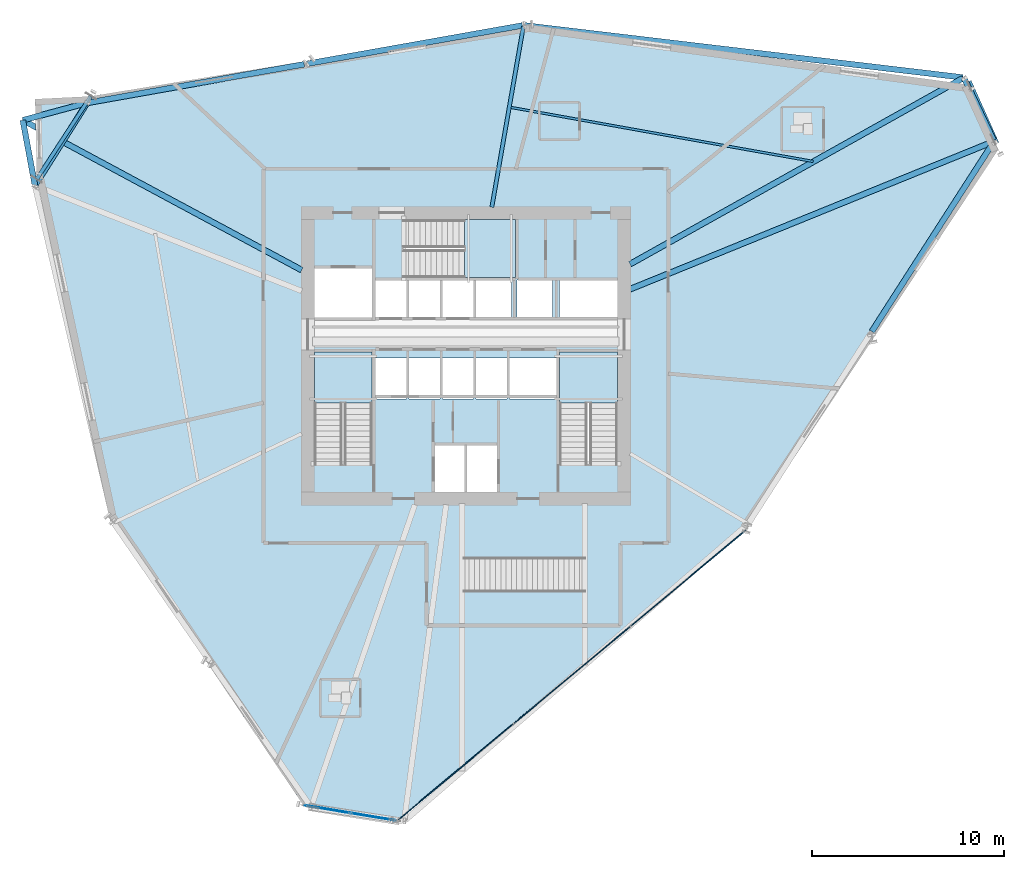
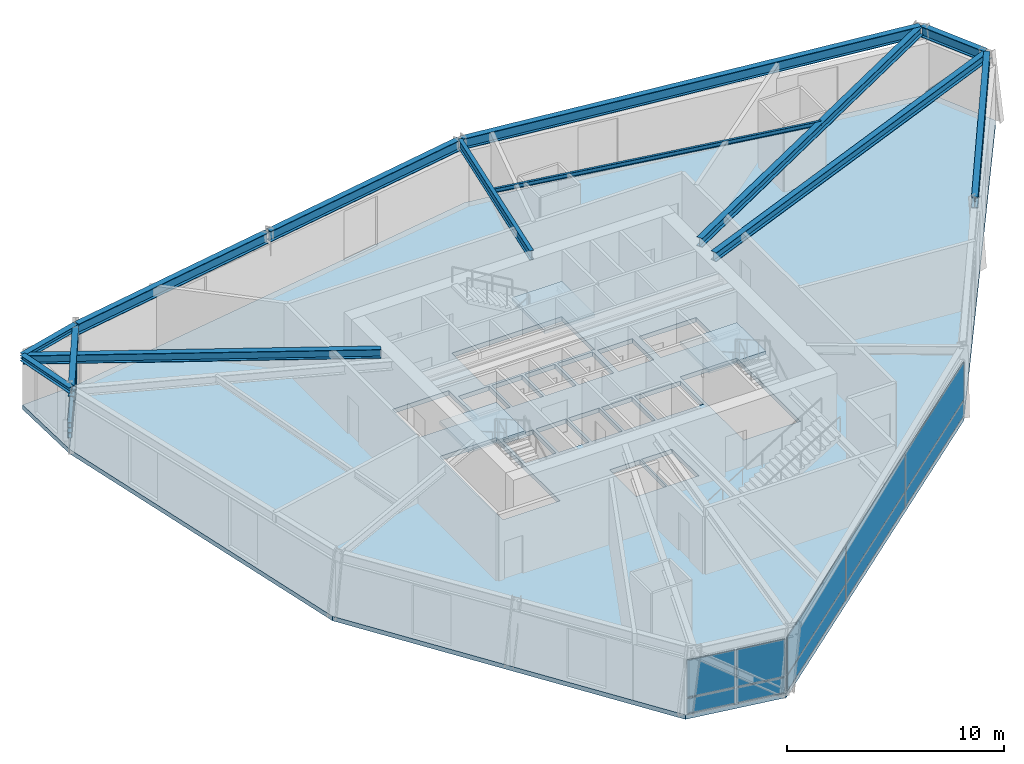
# One storey, part 8 of 16: 13 beams, 10 plates, 5 slabs, 3 members, 5 elements without a shape of their own.
"""IFC4 building model written with IfcOpenShell, lengths in metres."""

from ifc_helpers import new_model, si_unit, direction, frame, origin, origin_2d, place, context, subcontext, project, spatial, polyline, rectangle, hollow_rectangle, i_section, outline, extrude, source, transform, mapped, material, layer, layer_set, material_profile, profile_set, type_object, element, aggregate, save


model = new_model("IFC4")

# Units and contexts
model_context = context("Model", 3, precision=1e-05, world=origin(), true_north=direction((0.0, 1.0)))
body_context = subcontext(model_context, "Body", "Model", "MODEL_VIEW")
ifc_project = project(units=[si_unit("LENGTHUNIT", "METRE"), si_unit("AREAUNIT", "SQUARE_METRE"), si_unit("VOLUMEUNIT", "CUBIC_METRE"), si_unit("PLANEANGLEUNIT", "RADIAN"), si_unit("MASSUNIT", "GRAM", prefix="KILO")], contexts=[model_context])

# Site, building, storey
site_placement = place(None, origin())
site = spatial("IfcSite", under=ifc_project, at=site_placement, CompositionType="ELEMENT")
building_placement = place(site_placement, origin())
building = spatial("IfcBuilding", under=site, at=building_placement, Name="Olszyna Solenne Hotel", CompositionType="ELEMENT")
storey_placement = place(building_placement, frame((0.0, 0.0, 134.10009765625)))
storey = spatial("IfcBuildingStorey", under=building, at=storey_placement, Name="L35", CompositionType="ELEMENT", Elevation=134.10009765625)

# Beams
ifc_material_1 = material(Name="Steel S355J2", Category="steel")
ifc_material_profile_1 = material_profile(ifc_material_1, i_section(OverallWidth=0.300048828125, OverallDepth=0.60009765625, WebThickness=0.015380859375, FlangeThickness=0.030029296875, at=origin_2d()), Name="HEB 600", Category="load-bearing")
ifc_profile_set_1 = profile_set([ifc_material_profile_1], Name="Steel S355J2")
beam_type_1 = type_object("IfcBeamType", Name="BM-S2", PredefinedType="BEAM", material=ifc_profile_set_1)
shared_shape_1 = source(origin(), body_context, "Body", "SweptSolid", [
    extrude(i_section(OverallWidth=0.300048828125, OverallDepth=0.60009765625, WebThickness=0.015380859375, FlangeThickness=0.030029296875, at=origin_2d()), origin(), (0.0, 0.0, 1.0), 3.5537109375),
])
beam_1_placement = place(storey_placement, frame((65.498291015625, 37.8388671875, 3.449951171875), z_axis=(-0.428151315276, 0.903707060517, 0.0), x_axis=(-0.903707060517, -0.428151315276, 0.0)))
element("IfcBeam", 1, at=beam_1_placement, inside=storey, type_object=beam_type_1, Name="Perimeter spandrel beam BM-S2 B-L35-1042", PredefinedType="BEAM", context=body_context, shape_type="MappedRepresentation", body=[
    mapped(shared_shape_1, transform((0.0, 0.0, 0.0), x_axis=(1.0, 0.0, 0.0), y_axis=(0.0, 1.0, 0.0), z_axis=(0.0, 0.0, 1.0), scale=1.0)),
])
shared_shape_2 = source(origin(), body_context, "Body", "SweptSolid", [
    extrude(i_section(OverallWidth=0.300048828125, OverallDepth=0.60009765625, WebThickness=0.015380859375, FlangeThickness=0.030029296875, at=origin_2d()), origin(), (0.0, 0.0, 1.0), 22.9853515625),
])
beam_2_placement = place(storey_placement, frame((63.8916015625, 41.11181640625, 3.449951171875), z_axis=(-0.993011647168, 0.118016391183, 0.0), x_axis=(-0.118016391183, -0.993011647168, 0.0)))
element("IfcBeam", 2, at=beam_2_placement, inside=storey, type_object=beam_type_1, Name="Perimeter spandrel beam BM-S2 B-L35-1043", PredefinedType="BEAM", context=body_context, shape_type="MappedRepresentation", body=[
    mapped(shared_shape_2, transform((0.0, 0.0, 0.0), x_axis=(1.0, 0.0, 0.0), y_axis=(0.0, 1.0, 0.0), z_axis=(0.0, 0.0, 1.0), scale=1.0)),
])
shared_shape_3 = source(origin(), body_context, "Body", "SweptSolid", [
    extrude(i_section(OverallWidth=0.300048828125, OverallDepth=0.60009765625, WebThickness=0.015380859375, FlangeThickness=0.030029296875, at=origin_2d()), origin(), (0.0, 0.0, 1.0), 11.4326171875),
])
for number, where, z_axis, x_axis, name in (
    (3, (40.9482421875, 43.821044921875, 3.449951171875), (-0.984548765616, -0.175110616824, 0.0), (0.175110616824, -0.984548765616, 0.0), "Perimeter spandrel beam BM-S2 B-L35-1044"),
    (4, (29.57421875, 41.798095703125, 3.449951171875), (-0.984548765616, -0.175110616824, 0.0), (0.175110616824, -0.984548765616, 0.0), "Perimeter spandrel beam BM-S2 B-L35-1045"),
):
    element("IfcBeam", number, at=place(storey_placement, frame(where, z_axis=z_axis, x_axis=x_axis)), inside=storey, type_object=beam_type_1, Name=name, PredefinedType="BEAM", context=body_context, shape_type="MappedRepresentation", body=[
        mapped(shared_shape_3, transform((0.0, 0.0, 0.0), x_axis=(1.0, 0.0, 0.0), y_axis=(0.0, 1.0, 0.0), z_axis=(0.0, 0.0, 1.0), scale=1.0)),
    ])
shared_shape_4 = source(origin(), body_context, "Body", "SweptSolid", [
    extrude(i_section(OverallWidth=0.300048828125, OverallDepth=0.60009765625, WebThickness=0.015380859375, FlangeThickness=0.030029296875, at=origin_2d()), origin(), (0.0, 0.0, 1.0), 4.971923828125),
])
beam_3_placement = place(storey_placement, frame((18.227294921875, 39.73486328125, 3.449951171875), z_axis=(-0.53283410763, -0.846219719545, 0.0), x_axis=(0.846219719545, -0.53283410763, 0.0)))
element("IfcBeam", 5, at=beam_3_placement, inside=storey, type_object=beam_type_1, Name="Perimeter spandrel beam BM-S2 B-L35-1046", PredefinedType="BEAM", context=body_context, shape_type="MappedRepresentation", body=[
    mapped(shared_shape_4, transform((0.0, 0.0, 0.0), x_axis=(1.0, 0.0, 0.0), y_axis=(0.0, 1.0, 0.0), z_axis=(0.0, 0.0, 1.0), scale=1.0)),
])
shared_shape_5 = source(origin(), body_context, "Body", "SweptSolid", [
    extrude(i_section(OverallWidth=0.300048828125, OverallDepth=0.60009765625, WebThickness=0.015380859375, FlangeThickness=0.030029296875, at=origin_2d()), origin(), (0.0, 0.0, 1.0), 11.72705078125),
])
beam_4_placement = place(storey_placement, frame((59.151123046875, 27.869140625, 3.449951171875), z_axis=(0.540684986562, 0.841225145432, 0.0), x_axis=(-0.841225145432, 0.540684986562, 0.0)))
element("IfcBeam", 6, at=beam_4_placement, inside=storey, type_object=beam_type_1, Name="Perimeter spandrel beam BM-S2 B-L35-1053", PredefinedType="BEAM", context=body_context, shape_type="MappedRepresentation", body=[
    mapped(shared_shape_5, transform((0.0, 0.0, 0.0), x_axis=(1.0, 0.0, 0.0), y_axis=(0.0, 1.0, 0.0), z_axis=(0.0, 0.0, 1.0), scale=1.0)),
])
ifc_material_profile_2 = material_profile(ifc_material_1, i_section(OverallWidth=0.300048828125, OverallDepth=0.489990234375, WebThickness=0.011962890625, FlangeThickness=0.02294921875, at=origin_2d()), Name="HEA 500", Category="load-bearing")
ifc_profile_set_2 = profile_set([ifc_material_profile_2], Name="Steel S355J2")
beam_type_2 = type_object("IfcBeamType", Name="BM-G1", PredefinedType="BEAM", material=ifc_profile_set_2)
shared_shape_6 = source(origin(), body_context, "Body", "SweptSolid", [
    extrude(i_section(OverallWidth=0.300048828125, OverallDepth=0.489990234375, WebThickness=0.011962890625, FlangeThickness=0.02294921875, at=origin_2d()), origin(), (0.0, 0.0, 1.0), 20.416748046875),
])
beam_5_placement = place(storey_placement, frame((65.468505859375, 37.761962890625, 3.5048828125), z_axis=(-0.926429957637, -0.376467174654, 0.0), x_axis=(0.376467174654, -0.926429957637, 0.0)))
element("IfcBeam", 7, at=beam_5_placement, inside=storey, type_object=beam_type_2, Name="Radial floor girder BM-G1 B-L35-1054", PredefinedType="BEAM", context=body_context, shape_type="MappedRepresentation", body=[
    mapped(shared_shape_6, transform((0.0, 0.0, 0.0), x_axis=(1.0, 0.0, 0.0), y_axis=(0.0, 1.0, 0.0), z_axis=(0.0, 0.0, 1.0), scale=1.0)),
])
shared_shape_7 = source(origin(), body_context, "Body", "SweptSolid", [
    extrude(i_section(OverallWidth=0.300048828125, OverallDepth=0.489990234375, WebThickness=0.011962890625, FlangeThickness=0.02294921875, at=origin_2d()), origin(), (0.0, 0.0, 1.0), 19.8671875),
])
beam_6_placement = place(storey_placement, frame((63.898681640625, 41.0751953125, 3.5048828125), z_axis=(-0.872909311658, -0.487882499809, 0.0), x_axis=(0.487882499809, -0.872909311658, 0.0)))
element("IfcBeam", 8, at=beam_6_placement, inside=storey, type_object=beam_type_2, Name="Radial floor girder BM-G1 B-L35-1055", PredefinedType="BEAM", context=body_context, shape_type="MappedRepresentation", body=[
    mapped(shared_shape_7, transform((0.0, 0.0, 0.0), x_axis=(1.0, 0.0, 0.0), y_axis=(0.0, 1.0, 0.0), z_axis=(0.0, 0.0, 1.0), scale=1.0)),
])
ifc_material_profile_3 = material_profile(ifc_material_1, i_section(OverallWidth=0.199951171875, OverallDepth=0.5, WebThickness=0.01025390625, FlangeThickness=0.01611328125, at=origin_2d()), Name="IPE 500", Category="load-bearing")
ifc_profile_set_3 = profile_set([ifc_material_profile_3], Name="Steel S355J2")
beam_type_3 = type_object("IfcBeamType", Name="BM-F3", PredefinedType="BEAM", material=ifc_profile_set_3)
shared_shape_8 = source(origin(), body_context, "Body", "SweptSolid", [
    extrude(i_section(OverallWidth=0.199951171875, OverallDepth=0.5, WebThickness=0.01025390625, FlangeThickness=0.01611328125, at=origin_2d()), origin(), (0.0, 0.0, 1.0), 9.564208984375),
])
beam_7_placement = place(storey_placement, frame((40.9970703125, 43.7724609375, 3.5), z_axis=(-0.171919632066, -0.985110978576, 0.0), x_axis=(0.985110978576, -0.171919632066, 0.0)))
element("IfcBeam", 9, at=beam_7_placement, inside=storey, type_object=beam_type_3, Name="Radial floor girder BM-F3 B-L35-1056", PredefinedType="BEAM", context=body_context, shape_type="MappedRepresentation", body=[
    mapped(shared_shape_8, transform((0.0, 0.0, 0.0), x_axis=(1.0, 0.0, 0.0), y_axis=(0.0, 1.0, 0.0), z_axis=(0.0, 0.0, 1.0), scale=1.0)),
])
shared_shape_9 = source(origin(), body_context, "Body", "SweptSolid", [
    extrude(i_section(OverallWidth=0.300048828125, OverallDepth=0.489990234375, WebThickness=0.011962890625, FlangeThickness=0.02294921875, at=origin_2d()), origin(), (0.0, 0.0, 1.0), 16.47607421875),
])
beam_8_placement = place(storey_placement, frame((14.931640625, 38.873779296875, 3.5048828125), z_axis=(0.880831503155, -0.473429892433, 0.0), x_axis=(0.473429892433, 0.880831503155, 0.0)))
element("IfcBeam", 10, at=beam_8_placement, inside=storey, type_object=beam_type_2, Name="Radial floor girder BM-G1 B-L35-1057", PredefinedType="BEAM", context=body_context, shape_type="MappedRepresentation", body=[
    mapped(shared_shape_9, transform((0.0, 0.0, 0.0), x_axis=(1.0, 0.0, 0.0), y_axis=(0.0, 1.0, 0.0), z_axis=(0.0, 0.0, 1.0), scale=1.0)),
])
ifc_material_profile_4 = material_profile(ifc_material_1, i_section(OverallWidth=0.300048828125, OverallDepth=0.31005859375, WebThickness=0.009033203125, FlangeThickness=0.015380859375, at=origin_2d()), Name="HEA 320", Category="load-bearing")
ifc_profile_set_4 = profile_set([ifc_material_profile_4], Name="Steel S355J2")
beam_type_4 = type_object("IfcBeamType", Name="BM-G3", PredefinedType="BEAM", material=ifc_profile_set_4)
shared_shape_10 = source(origin(), body_context, "Body", "SweptSolid", [
    extrude(i_section(OverallWidth=0.300048828125, OverallDepth=0.31005859375, WebThickness=0.009033203125, FlangeThickness=0.015380859375, at=origin_2d()), origin(), (0.0, 0.0, 1.0), 3.46484375),
])
beam_9_placement = place(storey_placement, frame((18.25927734375, 39.78564453125, 3.594970703125), z_axis=(-0.965491827497, -0.260433352389, 0.0), x_axis=(0.260433352389, -0.965491827497, 0.0)))
element("IfcBeam", 11, at=beam_9_placement, inside=storey, type_object=beam_type_4, Name="Prism side edge beam BM-G3 B-L35-1063", PredefinedType="BEAM", context=body_context, shape_type="MappedRepresentation", body=[
    mapped(shared_shape_10, transform((0.0, 0.0, 0.0), x_axis=(1.0, 0.0, 0.0), y_axis=(0.0, 1.0, 0.0), z_axis=(0.0, 0.0, 1.0), scale=1.0)),
])
shared_shape_11 = source(origin(), body_context, "Body", "SweptSolid", [
    extrude(i_section(OverallWidth=0.300048828125, OverallDepth=0.31005859375, WebThickness=0.009033203125, FlangeThickness=0.015380859375, at=origin_2d()), origin(), (0.0, 0.0, 1.0), 3.464599609375),
])
beam_10_placement = place(storey_placement, frame((15.546142578125, 35.476806640625, 3.594970703125), z_axis=(-0.182437468588, 0.983217458173, 0.0), x_axis=(-0.983217458173, -0.182437468588, 0.0)))
element("IfcBeam", 12, at=beam_10_placement, inside=storey, type_object=beam_type_4, Name="Prism side edge beam BM-G3 B-L35-1064", PredefinedType="BEAM", context=body_context, shape_type="MappedRepresentation", body=[
    mapped(shared_shape_11, transform((0.0, 0.0, 0.0), x_axis=(1.0, 0.0, 0.0), y_axis=(0.0, 1.0, 0.0), z_axis=(0.0, 0.0, 1.0), scale=1.0)),
])
ifc_material_profile_5 = material_profile(ifc_material_1, i_section(OverallWidth=0.1201171875, OverallDepth=0.239990234375, WebThickness=0.006103515625, FlangeThickness=0.009765625, at=origin_2d()), Name="IPE 240", Category="load-bearing")
ifc_profile_set_5 = profile_set([ifc_material_profile_5], Name="Steel S355J2")
beam_type_5 = type_object("IfcBeamType", Name="JS-03", PredefinedType="JOIST", material=ifc_profile_set_5)
shared_shape_12 = source(origin(), body_context, "Body", "SweptSolid", [
    extrude(i_section(OverallWidth=0.1201171875, OverallDepth=0.239990234375, WebThickness=0.006103515625, FlangeThickness=0.009765625, at=origin_2d()), origin(), (0.0, 0.0, 1.0), 16.072021484375),
])
beam_11_placement = place(storey_placement, frame((56.103759765625, 36.733154296875, 3.6298828125), z_axis=(-0.984393759312, 0.175979904043, 0.0), x_axis=(-0.175979904043, -0.984393759312, 0.0)))
element("IfcBeam", 13, at=beam_11_placement, inside=storey, type_object=beam_type_5, Name="Secondary composite floor joist JS-03 B-L35-1067", PredefinedType="JOIST", context=body_context, shape_type="MappedRepresentation", body=[
    mapped(shared_shape_12, transform((0.0, 0.0, 0.0), x_axis=(1.0, 0.0, 0.0), y_axis=(0.0, 1.0, 0.0), z_axis=(0.0, 0.0, 1.0), scale=1.0)),
])

# Members
ifc_material_profile_6 = material_profile(ifc_material_1, hollow_rectangle(XDim=0.199951171875, YDim=0.300048828125, WallThickness=0.01611328125, at=origin_2d()), Name="RHS 300x200x16", Category="load-bearing")
ifc_profile_set_6 = profile_set([ifc_material_profile_6], Name="Steel S355J2")
member_type_1 = type_object("IfcMemberType", Name="CH-PR1", PredefinedType="CHORD", material=ifc_profile_set_6)
shared_shape_13 = source(origin(), body_context, "Body", "SweptSolid", [
    extrude(hollow_rectangle(XDim=0.199951171875, YDim=0.300048828125, WallThickness=0.01611328125, at=origin_2d()), origin(), (0.0, 0.0, 1.0), 5.14453125),
])
for number, where, z_axis, x_axis, name in (
    (14, (18.453857421875, 40.12939453125, 1.349853515625), (-0.546073788779, -0.837737081195, 0.0), (0.837737081195, -0.546073788779, 0.0), "Glass-prism tie chord CH-PR1 M-L35-PR1"),
    (15, (18.453857421875, 40.12939453125, 0.77978515625), (-0.546073788779, -0.837737081195, 0.0), (0.837737081195, -0.546073788779, 0.0), "Glass-prism tie chord CH-PR1 M-L35-PR2"),
):
    element("IfcMember", number, at=place(storey_placement, frame(where, z_axis=z_axis, x_axis=x_axis)), inside=storey, type_object=member_type_1, Name=name, PredefinedType="CHORD", context=body_context, shape_type="MappedRepresentation", body=[
        mapped(shared_shape_13, transform((0.0, 0.0, 0.0), x_axis=(1.0, 0.0, 0.0), y_axis=(0.0, 1.0, 0.0), z_axis=(0.0, 0.0, 1.0), scale=1.0)),
    ])
ifc_material_2 = material(Name="Steel S460M", Category="steel")
ifc_material_profile_7 = material_profile(ifc_material_2, i_section(OverallWidth=0.406005859375, OverallDepth=0.416015625, WebThickness=0.026611328125, FlangeThickness=0.04150390625, at=origin_2d()), Name="HD 400x382", Category="load-bearing")
ifc_profile_set_7 = profile_set([ifc_material_profile_7], Name="Steel S460M")
member_type_2 = type_object("IfcMemberType", Name="BR-T2", PredefinedType="BRACE", material=ifc_profile_set_7)
shared_shape_14 = source(origin(), body_context, "Body", "SweptSolid", [
    extrude(i_section(OverallWidth=0.406005859375, OverallDepth=0.416015625, WebThickness=0.026611328125, FlangeThickness=0.04150390625, at=origin_2d()), origin(), (0.0, 0.0, 1.0), 4.69482421875),
])
member_placement = place(storey_placement, frame((64.207763671875, 40.731201171875, 0.010009765625), z_axis=(0.280388159049, -0.627597309265, 0.726294773263), x_axis=(0.913023697327, 0.407906518849, 0.0)))
element("IfcMember", 16, at=member_placement, inside=storey, type_object=member_type_2, Name="Perimeter braced-tube diagonal BR-T2 BR-L35-1", PredefinedType="BRACE", context=body_context, shape_type="MappedRepresentation", body=[
    mapped(shared_shape_14, transform((0.0, 0.0, 0.0), x_axis=(1.0, 0.0, 0.0), y_axis=(0.0, 1.0, 0.0), z_axis=(0.0, 0.0, 1.0), scale=1.0)),
])

# Stair, slab
ifc_material_3 = material(Name="Concrete C40/50", Category="concrete")
stair_type = type_object("IfcStairType", Name="STR-C1", PredefinedType="TWO_QUARTER_WINDING_STAIR", material=ifc_material_3)
stair_1_placement = place(storey_placement, origin())
stair_1 = element("IfcStair", 17, at=stair_1_placement, inside=storey, type_object=stair_type, Name="L35 ST1", PredefinedType="TWO_QUARTER_WINDING_STAIR")
ifc_layer_1 = layer(ifc_material_3, 0.18994140625, Name="Concrete C40/50")
ifc_layer_set_1 = layer_set([ifc_layer_1], Name="Concrete C40/50")
slab_type_1 = type_object("IfcSlabType", Name="SL-LN190", PredefinedType="LANDING", material=ifc_layer_set_1)
slab_1_placement = place(storey_placement, frame((0.0, 0.0, 1.7998046875)))
slab_1 = element("IfcSlab", 18, at=slab_1_placement, type_object=slab_type_1, Name="ST1 landing 1", PredefinedType="LANDING", context=body_context, shape_type="SweptSolid", body=[
    extrude(outline(polyline([(33.1201171875, 24.139892578125), (33.1201171875, 26.800048828125), (30.10009765625, 26.800048828125), (30.10009765625, 24.139892578125), (33.1201171875, 24.139892578125)])), origin(), (0.0, 0.0, 1.0), 0.2001953125),
])
aggregate(stair_1, [slab_1])

stair_2_placement = place(storey_placement, origin())
stair_2 = element("IfcStair", 19, at=stair_2_placement, inside=storey, type_object=stair_type, Name="L35 ST2", PredefinedType="TWO_QUARTER_WINDING_STAIR")
slab_2_placement = place(storey_placement, frame((0.0, 0.0, 1.7998046875)))
slab_2 = element("IfcSlab", 20, at=slab_2_placement, type_object=slab_type_1, Name="ST2 landing 1", PredefinedType="LANDING", context=body_context, shape_type="SweptSolid", body=[
    extrude(outline(polyline([(45.89990234375, 24.139892578125), (45.89990234375, 26.800048828125), (42.8798828125, 26.800048828125), (42.8798828125, 24.139892578125), (45.89990234375, 24.139892578125)])), origin(), (0.0, 0.0, 1.0), 0.2001953125),
])
aggregate(stair_2, [slab_2])

stair_3_placement = place(storey_placement, origin())
stair_3 = element("IfcStair", 21, at=stair_3_placement, inside=storey, type_object=stair_type, Name="L35 ST3", PredefinedType="TWO_QUARTER_WINDING_STAIR")
slab_3_placement = place(storey_placement, frame((0.0, 0.0, 1.7998046875)))
slab_3 = element("IfcSlab", 22, at=slab_3_placement, type_object=slab_type_1, Name="ST3 landing 1", PredefinedType="LANDING", context=body_context, shape_type="SweptSolid", body=[
    extrude(outline(polyline([(37.919921875, 30.679931640625), (40.580078125, 30.679931640625), (40.580078125, 33.699951171875), (37.919921875, 33.699951171875), (37.919921875, 30.679931640625)])), origin(), (0.0, 0.0, 1.0), 0.2001953125),
])
aggregate(stair_3, [slab_3])

# Slabs
ifc_material_4 = material(Name="Concrete C50/60", Category="concrete")
ifc_layer_2 = layer(ifc_material_4, 0.25, Name="Concrete C50/60")
ifc_layer_set_2 = layer_set([ifc_layer_2], Name="Concrete C50/60")
slab_type_2 = type_object("IfcSlabType", Name="SL-TW250", PredefinedType="FLOOR", material=ifc_layer_set_2)
slab_4_placement = place(storey_placement, frame((0.0, 0.0, -0.25)))
element("IfcSlab", 23, at=slab_4_placement, inside=storey, type_object=slab_type_2, Name="Floor slab SL-TW250 SL-L35-01", PredefinedType="FLOOR", context=body_context, shape_type="SweptSolid", body=[
    extrude(outline(polyline([(65.744384765625, 37.35205078125), (64.207763671875, 40.731201171875), (41.28564453125, 43.868408203125), (18.453857421875, 40.12939453125), (15.64453125, 35.819580078125), (19.423583984375, 18.15771484375), (29.530029296875, 3.1884765625), (34.41943359375, 2.379150390625), (52.64306640625, 17.57177734375), (65.744384765625, 37.35205078125)]), holes=[polyline([(30.10009765625, 20.949951171875), (33.1201171875, 20.949951171875), (33.1201171875, 26.800048828125), (30.10009765625, 26.800048828125), (30.10009765625, 20.949951171875)]), polyline([(42.8798828125, 20.949951171875), (45.89990234375, 20.949951171875), (45.89990234375, 26.800048828125), (42.8798828125, 26.800048828125), (42.8798828125, 20.949951171875)]), polyline([(34.72998046875, 30.679931640625), (40.580078125, 30.679931640625), (40.580078125, 33.699951171875), (34.72998046875, 33.699951171875), (34.72998046875, 30.679931640625)]), polyline([(36.340087890625, 19.5), (37.9599609375, 19.5), (37.9599609375, 21.9599609375), (36.340087890625, 21.9599609375), (36.340087890625, 19.5)]), polyline([(38.0400390625, 19.5), (39.659912109375, 19.5), (39.659912109375, 21.9599609375), (38.0400390625, 21.9599609375), (38.0400390625, 19.5)]), polyline([(30.10009765625, 28.60009765625), (33.1201171875, 28.60009765625), (33.1201171875, 31.159912109375), (30.10009765625, 31.159912109375), (30.10009765625, 28.60009765625)]), polyline([(33.280029296875, 24.360107421875), (34.89990234375, 24.360107421875), (34.89990234375, 26.5), (33.280029296875, 26.5), (33.280029296875, 24.360107421875)]), polyline([(35.030029296875, 24.360107421875), (36.64990234375, 24.360107421875), (36.64990234375, 26.5), (35.030029296875, 26.5), (35.030029296875, 24.360107421875)]), polyline([(36.780029296875, 24.360107421875), (38.39990234375, 24.360107421875), (38.39990234375, 26.5), (36.780029296875, 26.5), (36.780029296875, 24.360107421875)]), polyline([(38.530029296875, 24.360107421875), (40.14990234375, 24.360107421875), (40.14990234375, 26.5), (38.530029296875, 26.5), (38.530029296875, 24.360107421875)]), polyline([(40.280029296875, 24.360107421875), (42.719970703125, 24.360107421875), (42.719970703125, 26.5), (40.280029296875, 26.5), (40.280029296875, 24.360107421875)]), polyline([(33.280029296875, 28.60009765625), (34.89990234375, 28.60009765625), (34.89990234375, 30.550048828125), (33.280029296875, 30.550048828125), (33.280029296875, 28.60009765625)]), polyline([(35.030029296875, 28.60009765625), (36.64990234375, 28.60009765625), (36.64990234375, 30.550048828125), (35.030029296875, 30.550048828125), (35.030029296875, 28.60009765625)]), polyline([(36.780029296875, 28.60009765625), (38.39990234375, 28.60009765625), (38.39990234375, 30.550048828125), (36.780029296875, 30.550048828125), (36.780029296875, 28.60009765625)]), polyline([(38.530029296875, 28.60009765625), (40.389892578125, 28.60009765625), (40.389892578125, 30.550048828125), (38.530029296875, 30.550048828125), (38.530029296875, 28.60009765625)]), polyline([(40.659912109375, 28.60009765625), (42.52001953125, 28.60009765625), (42.52001953125, 30.550048828125), (40.659912109375, 30.550048828125), (40.659912109375, 28.60009765625)]), polyline([(42.8798828125, 28.60009765625), (45.89990234375, 28.60009765625), (45.89990234375, 30.550048828125), (42.8798828125, 30.550048828125), (42.8798828125, 28.60009765625)])]), origin(), (0.0, 0.0, 1.0), 0.25),
])
slab_5_placement = place(storey_placement, frame((0.0, 0.0, -0.25)))
element("IfcSlab", 24, at=slab_5_placement, inside=storey, type_object=slab_type_2, Name="Faceted glass-prism floor slab SL-L35-PR", PredefinedType="FLOOR", context=body_context, shape_type="SweptSolid", body=[
    extrude(outline(polyline([(15.64404296875, 35.837158203125), (18.441650390625, 40.12890625), (15.553466796875, 39.983154296875), (15.64404296875, 35.837158203125)])), origin(), (0.0, 0.0, 1.0), 0.25),
])

# Curtain wall, plates
ifc_material_5 = material(Name="Anodised bronze aluminium", Category="aluminium")
curtain_wall_type = type_object("IfcCurtainWallType", Name="CW-SYS-6", PredefinedType="NOTDEFINED", material=ifc_material_5)
curtain_wall_1_placement = place(storey_placement, origin())
curtain_wall_1 = element("IfcCurtainWall", 25, at=curtain_wall_1_placement, inside=storey, type_object=curtain_wall_type, Name="Unitised curtain wall CW-SYS-6 CW-L35-01", PredefinedType="NOTDEFINED")
ifc_material_6 = material(Name="Terracotta cladding", Category="masonry")
plate_type_1 = type_object("IfcPlateType", Name="PN-SP1", PredefinedType="CURTAIN_PANEL", material=ifc_material_6)
shared_shape_15 = source(origin(), body_context, "Body", "SweptSolid", [
    extrude(rectangle(XDim=7.78857421875, YDim=0.048095703125, at=origin_2d()), origin(), (0.0, 0.0, 1.0), 0.83740234375),
])
plate_1_placement = place(storey_placement, frame((37.471923828125, 4.924072265625, 0.074951171875), z_axis=(0.0, 0.0, 1.0), x_axis=(0.768091364513, 0.640340265609, 0.0)))
plate_1 = element("IfcPlate", 26, at=plate_1_placement, type_object=plate_type_1, Name="Curtain-wall panel PN-SP1 CP-L35-01-01", PredefinedType="CURTAIN_PANEL", context=body_context, shape_type="MappedRepresentation", body=[
    mapped(shared_shape_15, transform((0.0, 0.0, 0.0), x_axis=(1.0, 0.0, 0.0), y_axis=(0.0, 1.0, 0.0), z_axis=(0.0, 0.0, 1.0), scale=1.0)),
])
plate_2_placement = place(storey_placement, frame((49.59033203125, 15.02685546875, 0.074951171875), z_axis=(0.0, 0.0, 1.0), x_axis=(0.768091364513, 0.640340265609, 0.0)))
plate_2 = element("IfcPlate", 27, at=plate_2_placement, type_object=plate_type_1, Name="Curtain-wall panel PN-SP1 CP-L35-01-05", PredefinedType="CURTAIN_PANEL", context=body_context, shape_type="MappedRepresentation", body=[
    mapped(shared_shape_15, transform((0.0, 0.0, 0.0), x_axis=(1.0, 0.0, 0.0), y_axis=(0.0, 1.0, 0.0), z_axis=(0.0, 0.0, 1.0), scale=1.0)),
])
ifc_material_7 = material(Name="Low-E triple glazing", Category="glass")
plate_type_2 = type_object("IfcPlateType", Name="PN-GL2", PredefinedType="CURTAIN_PANEL", material=ifc_material_7)
shared_shape_16 = source(origin(), body_context, "Body", "SweptSolid", [
    extrude(rectangle(XDim=7.78857421875, YDim=0.048095703125, at=origin_2d()), origin(), (0.0, 0.0, 1.0), 2.07958984375),
])
plate_3_placement = place(storey_placement, frame((37.471923828125, 4.924072265625, 0.9873046875), z_axis=(0.0, 0.0, 1.0), x_axis=(0.768091364513, 0.640340265609, 0.0)))
plate_3 = element("IfcPlate", 28, at=plate_3_placement, type_object=plate_type_2, Name="Curtain-wall panel PN-GL2 CP-L35-01-02", PredefinedType="CURTAIN_PANEL", context=body_context, shape_type="MappedRepresentation", body=[
    mapped(shared_shape_16, transform((0.0, 0.0, 0.0), x_axis=(1.0, 0.0, 0.0), y_axis=(0.0, 1.0, 0.0), z_axis=(0.0, 0.0, 1.0), scale=1.0)),
])
plate_4_placement = place(storey_placement, frame((49.59033203125, 15.02685546875, 0.9873046875), z_axis=(0.0, 0.0, 1.0), x_axis=(0.768091364513, 0.640340265609, 0.0)))
plate_4 = element("IfcPlate", 29, at=plate_4_placement, type_object=plate_type_2, Name="Curtain-wall panel PN-GL2 CP-L35-01-06", PredefinedType="CURTAIN_PANEL", context=body_context, shape_type="MappedRepresentation", body=[
    mapped(shared_shape_16, transform((0.0, 0.0, 0.0), x_axis=(1.0, 0.0, 0.0), y_axis=(0.0, 1.0, 0.0), z_axis=(0.0, 0.0, 1.0), scale=1.0)),
])
shared_shape_17 = source(origin(), body_context, "Body", "SweptSolid", [
    extrude(rectangle(XDim=7.82861328125, YDim=0.048095703125, at=origin_2d()), origin(), (0.0, 0.0, 1.0), 0.83740234375),
])
plate_5_placement = place(storey_placement, frame((43.53125, 9.975341796875, 0.074951171875), z_axis=(0.0, 0.0, 1.0), x_axis=(0.768091364513, 0.640340265609, 0.0)))
plate_5 = element("IfcPlate", 30, at=plate_5_placement, type_object=plate_type_1, Name="Curtain-wall panel PN-SP1 CP-L35-01-03", PredefinedType="CURTAIN_PANEL", context=body_context, shape_type="MappedRepresentation", body=[
    mapped(shared_shape_17, transform((0.0, 0.0, 0.0), x_axis=(1.0, 0.0, 0.0), y_axis=(0.0, 1.0, 0.0), z_axis=(0.0, 0.0, 1.0), scale=1.0)),
])
shared_shape_18 = source(origin(), body_context, "Body", "SweptSolid", [
    extrude(rectangle(XDim=7.82861328125, YDim=0.048095703125, at=origin_2d()), origin(), (0.0, 0.0, 1.0), 2.07958984375),
])
plate_6_placement = place(storey_placement, frame((43.53125, 9.975341796875, 0.9873046875), z_axis=(0.0, 0.0, 1.0), x_axis=(0.768091364513, 0.640340265609, 0.0)))
plate_6 = element("IfcPlate", 31, at=plate_6_placement, type_object=plate_type_2, Name="Curtain-wall panel PN-GL2 CP-L35-01-04", PredefinedType="CURTAIN_PANEL", context=body_context, shape_type="MappedRepresentation", body=[
    mapped(shared_shape_18, transform((0.0, 0.0, 0.0), x_axis=(1.0, 0.0, 0.0), y_axis=(0.0, 1.0, 0.0), z_axis=(0.0, 0.0, 1.0), scale=1.0)),
])
aggregate(curtain_wall_1, [plate_1, plate_3, plate_5, plate_6, plate_2, plate_4])

curtain_wall_2_placement = place(storey_placement, origin())
curtain_wall_2 = element("IfcCurtainWall", 32, at=curtain_wall_2_placement, inside=storey, type_object=curtain_wall_type, Name="Unitised curtain wall CW-SYS-6 CW-L35-02", PredefinedType="NOTDEFINED")
shared_shape_19 = source(origin(), body_context, "Body", "SweptSolid", [
    extrude(rectangle(XDim=2.35791015625, YDim=0.048095703125, at=origin_2d()), origin(), (0.0, 0.0, 1.0), 0.83740234375),
])
plate_7_placement = place(storey_placement, frame((30.772216796875, 2.98291015625, 0.074951171875), z_axis=(0.0, 0.0, 1.0), x_axis=(0.986572758753, -0.163322355132, 0.0)))
plate_7 = element("IfcPlate", 33, at=plate_7_placement, type_object=plate_type_1, Name="Curtain-wall panel PN-SP1 CP-L35-02-01", PredefinedType="CURTAIN_PANEL", context=body_context, shape_type="MappedRepresentation", body=[
    mapped(shared_shape_19, transform((0.0, 0.0, 0.0), x_axis=(1.0, 0.0, 0.0), y_axis=(0.0, 1.0, 0.0), z_axis=(0.0, 0.0, 1.0), scale=1.0)),
])
plate_8_placement = place(storey_placement, frame((33.17724609375, 2.584716796875, 0.074951171875), z_axis=(0.0, 0.0, 1.0), x_axis=(0.986572758753, -0.163322355132, 0.0)))
plate_8 = element("IfcPlate", 34, at=plate_8_placement, type_object=plate_type_1, Name="Curtain-wall panel PN-SP1 CP-L35-02-03", PredefinedType="CURTAIN_PANEL", context=body_context, shape_type="MappedRepresentation", body=[
    mapped(shared_shape_19, transform((0.0, 0.0, 0.0), x_axis=(1.0, 0.0, 0.0), y_axis=(0.0, 1.0, 0.0), z_axis=(0.0, 0.0, 1.0), scale=1.0)),
])
shared_shape_20 = source(origin(), body_context, "Body", "SweptSolid", [
    extrude(rectangle(XDim=2.35791015625, YDim=0.048095703125, at=origin_2d()), origin(), (0.0, 0.0, 1.0), 2.07958984375),
])
plate_9_placement = place(storey_placement, frame((30.772216796875, 2.98291015625, 0.9873046875), z_axis=(0.0, 0.0, 1.0), x_axis=(0.986572758753, -0.163322355132, 0.0)))
plate_9 = element("IfcPlate", 35, at=plate_9_placement, type_object=plate_type_2, Name="Curtain-wall panel PN-GL2 CP-L35-02-02", PredefinedType="CURTAIN_PANEL", context=body_context, shape_type="MappedRepresentation", body=[
    mapped(shared_shape_20, transform((0.0, 0.0, 0.0), x_axis=(1.0, 0.0, 0.0), y_axis=(0.0, 1.0, 0.0), z_axis=(0.0, 0.0, 1.0), scale=1.0)),
])
plate_10_placement = place(storey_placement, frame((33.17724609375, 2.584716796875, 0.9873046875), z_axis=(0.0, 0.0, 1.0), x_axis=(0.986572758753, -0.163322355132, 0.0)))
plate_10 = element("IfcPlate", 36, at=plate_10_placement, type_object=plate_type_2, Name="Curtain-wall panel PN-GL2 CP-L35-02-04", PredefinedType="CURTAIN_PANEL", context=body_context, shape_type="MappedRepresentation", body=[
    mapped(shared_shape_20, transform((0.0, 0.0, 0.0), x_axis=(1.0, 0.0, 0.0), y_axis=(0.0, 1.0, 0.0), z_axis=(0.0, 0.0, 1.0), scale=1.0)),
])
aggregate(curtain_wall_2, [plate_7, plate_9, plate_8, plate_10])

save(model, "model.ifc")
